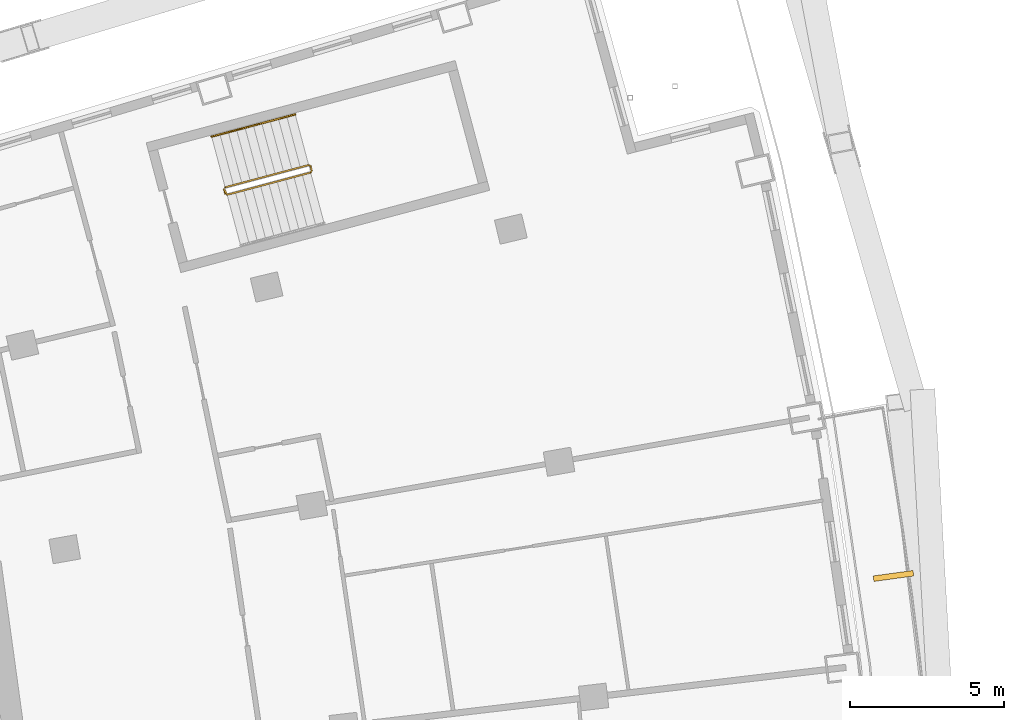
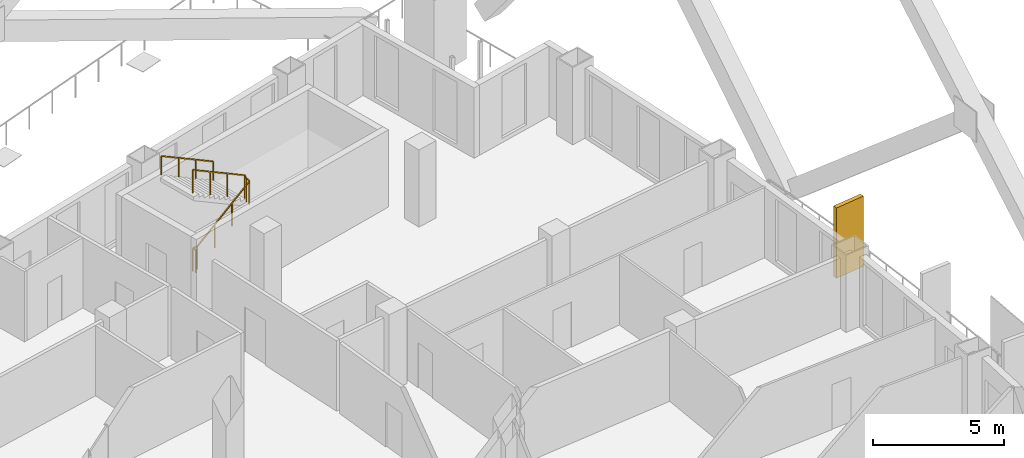
# One storey, part 20 of 20: 2 railings, 1 shading device.
"""IFC4 building model written with IfcOpenShell, lengths in metres."""

from ifc_helpers import new_model, si_unit, direction, frame, origin, origin_2d, place, context, subcontext, project, spatial, rectangle, extrude, material, layer, layer_set, type_object, element, save


model = new_model("IFC4")

# Units and contexts
model_context = context("Model", 3, precision=1e-05, world=origin(), true_north=direction((0.0, 1.0)))
body_context = subcontext(model_context, "Body", "Model", "MODEL_VIEW")
ifc_project = project(units=[si_unit("LENGTHUNIT", "METRE"), si_unit("AREAUNIT", "SQUARE_METRE"), si_unit("VOLUMEUNIT", "CUBIC_METRE"), si_unit("PLANEANGLEUNIT", "RADIAN"), si_unit("MASSUNIT", "GRAM", prefix="KILO")], contexts=[model_context])

# Site, building, storey
site_placement = place(None, origin())
site = spatial("IfcSite", under=ifc_project, at=site_placement, CompositionType="ELEMENT")
building_placement = place(site_placement, origin())
building = spatial("IfcBuilding", under=site, at=building_placement, Name="Alderwake Tower", CompositionType="ELEMENT")
storey_placement = place(building_placement, frame((0.0, 0.0, 138.800048828125)))
storey = spatial("IfcBuildingStorey", under=building, at=storey_placement, Name="L33", CompositionType="ELEMENT", Elevation=138.800048828125)

# Shading device
ifc_material_1 = material(Name="Bronze anodised aluminium", Category="aluminium")
ifc_layer = layer(ifc_material_1, 0.179931640625)
ifc_layer_set = layer_set([ifc_layer], Name="Facade fin 1300")
shading_device_type = type_object("IfcShadingDeviceType", Name="Facade fin 1300", PredefinedType="USERDEFINED", material=ifc_layer_set)
shading_device_placement = place(storey_placement, frame((60.885009765625, 80.293701171875, 0.0), z_axis=(0.0, 0.0, 1.0), x_axis=(0.990752577235, 0.135680988728, 0.0)))
element("IfcShadingDevice", 1, at=shading_device_placement, inside=storey, type_object=shading_device_type, Name="Fin", ObjectType="FIN", PredefinedType="USERDEFINED", context=body_context, shape_type="SweptSolid", body=[
    extrude(rectangle(XDim=1.300048828125, YDim=0.179931640625, at=origin_2d()), origin(), (0.0, 0.0, 1.0), 3.280029296875),
])

# Railings
ifc_material_2 = material(Name="Stainless steel guard", Category="steel")
railing_type_1 = type_object("IfcRailingType", Name="Stair guard 1100", PredefinedType="GUARDRAIL", material=ifc_material_2)
railing_1_placement = place(storey_placement, frame((39.23291015625, 92.6806640625, 0.0)))
element("IfcRailing", 2, at=railing_1_placement, inside=storey, type_object=railing_type_1, Name="L33 ST-A stair guard 1", PredefinedType="GUARDRAIL", context=body_context, shape_type="SweptSolid", body=[
    extrude(rectangle(XDim=0.048095703125, YDim=0.048095703125, at=origin_2d()), frame((0.0, 0.0, 1.076171875), z_axis=(-0.257055032184, 0.966396766566, 0.0), x_axis=(-0.966396766566, -0.257055032184, 0.0)), (0.0, 0.0, 1.0), 0.150146484375),
    extrude(rectangle(XDim=0.048095703125, YDim=0.048095703125, at=origin_2d()), frame((-0.03857421875, 0.14501953125, 1.076171875), z_axis=(0.379370725808, -0.685464465458, 0.621463047167), x_axis=(0.874937996095, 0.484234966715, 0.0)), (0.0, 0.0, 1.0), 0.26318359375),
    extrude(rectangle(XDim=0.048095703125, YDim=0.048095703125, at=origin_2d()), frame((0.061279296875, -0.035400390625, 1.23974609375), z_axis=(0.834258940753, 0.22222815314, 0.504605457487), x_axis=(-0.257402139082, 0.966304371715, 0.0)), (0.0, 0.0, 1.0), 3.2431640625),
    extrude(rectangle(XDim=0.048095703125, YDim=0.048095703125, at=origin_2d()), frame((2.766845703125, 0.685302734375, 2.8759765625), z_axis=(0.500220121494, 0.865898279276, 0.0), x_axis=(-0.865898279276, 0.500220121494, 0.0)), (0.0, 0.0, 1.0), 0.07080078125),
    extrude(rectangle(XDim=0.048095703125, YDim=0.048095703125, at=origin_2d()), frame((2.80224609375, 0.74658203125, 2.8759765625), z_axis=(-0.257459803502, 0.966289009345, 0.0), x_axis=(-0.966289009345, -0.257459803502, 0.0)), (0.0, 0.0, 1.0), 0.14990234375),
    extrude(rectangle(XDim=0.048095703125, YDim=0.048095703125, at=origin_2d()), frame((2.763671875, 0.891357421875, 2.8759765625), z_axis=(-0.34252489212, 0.200034536998, 0.917966710881), x_axis=(-0.504300490226, -0.863528236688, 0.0)), (0.0, 0.0, 1.0), 0.17822265625),
    extrude(rectangle(XDim=0.048095703125, YDim=0.048095703125, at=origin_2d()), frame((2.70263671875, 0.927001953125, 3.03955078125), z_axis=(-0.834313512087, -0.222222637163, 0.504517653885), x_axis=(0.257380452725, -0.966310148221, 0.0)), (0.0, 0.0, 1.0), 3.2431640625),
    extrude(rectangle(XDim=0.0419921875, YDim=0.0419921875, at=origin_2d()), frame((0.0, 0.0, 0.0), z_axis=(0.0, 0.0, 1.0), x_axis=(-0.257055032184, 0.966396766566, 0.0)), (0.0, 0.0, 1.0), 1.052001953125),
    extrude(rectangle(XDim=0.0419921875, YDim=0.0419921875, at=origin_2d()), frame((-0.03857421875, 0.14501953125, 0.0), z_axis=(0.0, 0.0, 1.0), x_axis=(0.484234966715, -0.874937996095, 0.0)), (0.0, 0.0, 1.0), 1.052001953125),
    extrude(rectangle(XDim=0.0419921875, YDim=0.0419921875, at=origin_2d()), frame((0.061279296875, -0.035400390625, 0.16357421875), z_axis=(0.0, 0.0, 1.0), x_axis=(0.966304371715, 0.257402139082, 0.0)), (0.0, 0.0, 1.0), 1.052001953125),
    extrude(rectangle(XDim=0.0419921875, YDim=0.0419921875, at=origin_2d()), frame((0.963134765625, 0.204833984375, 0.708984375), z_axis=(0.0, 0.0, 1.0), x_axis=(0.966304371715, 0.257402139082, 0.0)), (0.0, 0.0, 1.0), 1.052001953125),
    extrude(rectangle(XDim=0.0419921875, YDim=0.0419921875, at=origin_2d()), frame((1.864990234375, 0.445068359375, 1.254638671875), z_axis=(0.0, 0.0, 1.0), x_axis=(0.966304371715, 0.257402139082, 0.0)), (0.0, 0.0, 1.0), 1.052001953125),
    extrude(rectangle(XDim=0.0419921875, YDim=0.0419921875, at=origin_2d()), frame((2.766845703125, 0.685302734375, 1.800048828125), z_axis=(0.0, 0.0, 1.0), x_axis=(0.500220121494, 0.865898279276, 0.0)), (0.0, 0.0, 1.0), 1.052001953125),
    extrude(rectangle(XDim=0.0419921875, YDim=0.0419921875, at=origin_2d()), frame((2.80224609375, 0.74658203125, 1.800048828125), z_axis=(0.0, 0.0, 1.0), x_axis=(-0.257459803502, 0.966289009345, 0.0)), (0.0, 0.0, 1.0), 1.052001953125),
    extrude(rectangle(XDim=0.0419921875, YDim=0.0419921875, at=origin_2d()), frame((2.763671875, 0.891357421875, 1.800048828125), z_axis=(0.0, 0.0, 1.0), x_axis=(-0.863528236688, 0.504300490226, 0.0)), (0.0, 0.0, 1.0), 1.052001953125),
    extrude(rectangle(XDim=0.0419921875, YDim=0.0419921875, at=origin_2d()), frame((2.70263671875, 0.927001953125, 1.963623046875), z_axis=(0.0, 0.0, 1.0), x_axis=(-0.966310148221, -0.257380452725, 0.0)), (0.0, 0.0, 1.0), 1.052001953125),
    extrude(rectangle(XDim=0.0419921875, YDim=0.0419921875, at=origin_2d()), frame((1.80078125, 0.686767578125, 2.509033203125), z_axis=(0.0, 0.0, 1.0), x_axis=(-0.966310148221, -0.257380452725, 0.0)), (0.0, 0.0, 1.0), 1.052001953125),
    extrude(rectangle(XDim=0.0419921875, YDim=0.0419921875, at=origin_2d()), frame((0.898681640625, 0.446533203125, 3.054443359375), z_axis=(0.0, 0.0, 1.0), x_axis=(-0.966310148221, -0.257380452725, 0.0)), (0.0, 0.0, 1.0), 1.052001953125),
    extrude(rectangle(XDim=0.0419921875, YDim=0.0419921875, at=origin_2d()), frame((-0.003173828125, 0.206298828125, 3.599853515625), z_axis=(0.0, 0.0, 1.0), x_axis=(-0.966310148221, -0.257380452725, 0.0)), (0.0, 0.0, 1.0), 1.052001953125),
])
ifc_material_3 = material(Name="Stainless steel handrail", Category="steel")
railing_type_2 = type_object("IfcRailingType", Name="Stair handrail 900", PredefinedType="HANDRAIL", material=ifc_material_3)
railing_2_placement = place(storey_placement, frame((41.497802734375, 95.250244140625, 1.963623046875)))
element("IfcRailing", 3, at=railing_2_placement, inside=storey, type_object=railing_type_2, Name="L33 ST-A stair handrail 2", PredefinedType="HANDRAIL", context=body_context, shape_type="SweptSolid", body=[
    extrude(rectangle(XDim=0.048095703125, YDim=0.048095703125, at=origin_2d()), frame((0.0, 0.0, 0.8759765625), z_axis=(-0.834290631165, -0.222236594766, 0.504549342183), x_axis=(0.257402139082, -0.966304371715, 0.0)), (0.0, 0.0, 1.0), 3.242919921875),
    extrude(rectangle(XDim=0.0419921875, YDim=0.0419921875, at=origin_2d()), frame((0.0, 0.0, 0.0), z_axis=(0.0, 0.0, 1.0), x_axis=(-0.966304371715, -0.257402139082, 0.0)), (0.0, 0.0, 1.0), 0.851806640625),
    extrude(rectangle(XDim=0.0419921875, YDim=0.0419921875, at=origin_2d()), frame((-0.90185546875, -0.240234375, 0.54541015625), z_axis=(0.0, 0.0, 1.0), x_axis=(-0.966304371715, -0.257402139082, 0.0)), (0.0, 0.0, 1.0), 0.851806640625),
    extrude(rectangle(XDim=0.0419921875, YDim=0.0419921875, at=origin_2d()), frame((-1.8037109375, -0.48046875, 1.0908203125), z_axis=(0.0, 0.0, 1.0), x_axis=(-0.966304371715, -0.257402139082, 0.0)), (0.0, 0.0, 1.0), 0.851806640625),
    extrude(rectangle(XDim=0.0419921875, YDim=0.0419921875, at=origin_2d()), frame((-2.70556640625, -0.720703125, 1.63623046875), z_axis=(0.0, 0.0, 1.0), x_axis=(-0.966304371715, -0.257402139082, 0.0)), (0.0, 0.0, 1.0), 0.851806640625),
])

save(model, "model.ifc")
